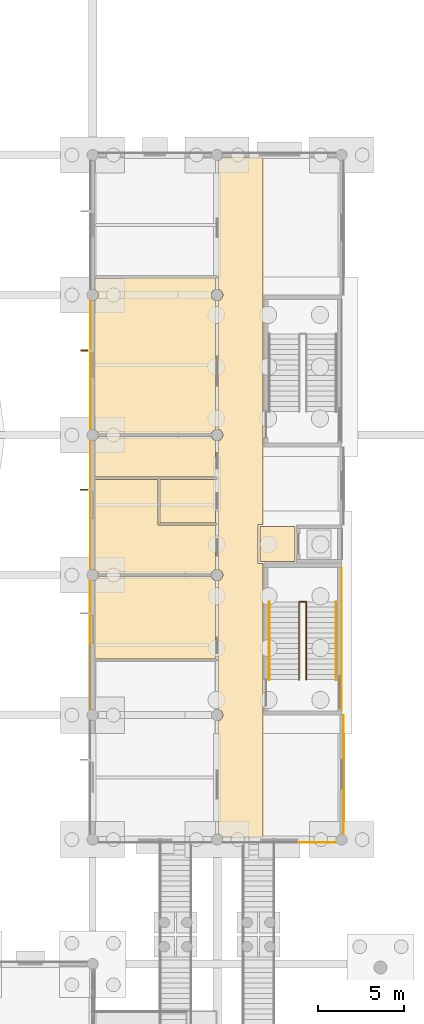
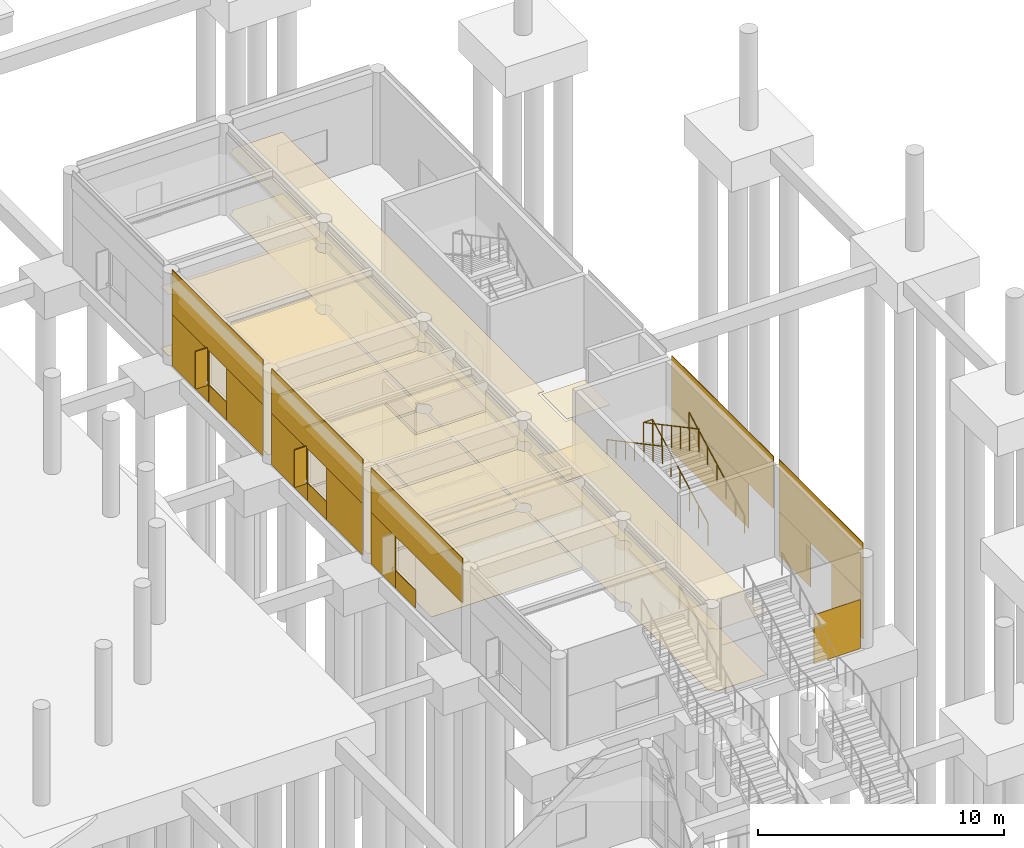
# One storey, part 101 of 103: 31 coverings, 3 railings, 2 shading devices.
"""IFC4 building model written with IfcOpenShell, lengths in metres."""

from ifc_helpers import new_model, si_unit, direction, frame, origin, origin_2d, place, context, subcontext, project, spatial, polyline, rectangle, circle, outline, extrude, material, layer, layer_set, type_object, element, save


model = new_model("IFC4")

# Units and contexts
model_context = context("Model", 3, precision=1e-05, world=origin(), true_north=direction((0.0, 1.0)))
body_context = subcontext(model_context, "Body", "Model", "MODEL_VIEW")
ifc_project = project(units=[si_unit("LENGTHUNIT", "METRE"), si_unit("AREAUNIT", "SQUARE_METRE"), si_unit("VOLUMEUNIT", "CUBIC_METRE"), si_unit("PLANEANGLEUNIT", "RADIAN"), si_unit("MASSUNIT", "GRAM", prefix="KILO")], contexts=[model_context])

# Site, building, storey
site_placement = place(None, origin())
site = spatial("IfcSite", under=ifc_project, at=site_placement, CompositionType="ELEMENT")
building_placement = place(site_placement, origin())
building = spatial("IfcBuilding", under=site, at=building_placement, Name="Namkhue Oval Health Centre", CompositionType="ELEMENT")
storey_placement = place(building_placement, origin())
storey = spatial("IfcBuildingStorey", under=building, at=storey_placement, Name="L00", CompositionType="ELEMENT", Elevation=0.0)

# Coverings
ifc_material_1 = material(Name="Acoustic mineral-fibre cleanroom ceiling", Category="gypsum")
ifc_layer_1 = layer(ifc_material_1, 0.02001953125)
ifc_layer_set_1 = layer_set([ifc_layer_1], Name="Acoustic mineral-fibre cleanroom ceiling")
covering_type_1 = type_object("IfcCoveringType", Name="ACOUSTIC CLEANROOM CEILING 20", PredefinedType="CEILING", material=ifc_layer_set_1)
covering_1_placement = place(storey_placement, frame((0.0, 0.0, 3.050048828125)))
element("IfcCovering", 1, at=covering_1_placement, inside=storey, type_object=covering_type_1, Name="Acoustic Ceiling L00-LL7 Lift Lobby LF-07", PredefinedType="CEILING", context=body_context, shape_type="SweptSolid", body=[
    extrude(outline(polyline([(146.47998046875, 52.080078125), (146.47998046875, 54.1201171875), (148.52001953125, 54.1201171875), (148.52001953125, 52.080078125), (146.47998046875, 52.080078125)])), origin(), (0.0, 0.0, 1.0), 0.02001953125),
])
covering_2_placement = place(storey_placement, frame((0.0, 0.0, 3.050048828125)))
element("IfcCovering", 2, at=covering_2_placement, inside=storey, type_object=covering_type_1, Name="Acoustic Ceiling L00-V6-C1 V6 Clinical Corridor", PredefinedType="CEILING", context=body_context, shape_type="SweptSolid", body=[
    extrude(outline(polyline([(144.0400390625, 42.870361328125), (144.086669921875, 42.87646484375), (144.16748046875, 42.909912109375), (144.23681640625, 42.963134765625), (144.2900390625, 43.032470703125), (144.323486328125, 43.11328125), (144.3349609375, 43.199951171875), (144.323486328125, 43.28662109375), (144.2900390625, 43.367431640625), (144.23681640625, 43.43701171875), (144.16748046875, 43.489990234375), (144.086669921875, 43.523681640625), (144.0400390625, 43.52978515625), (144.0400390625, 50.97021484375), (144.086669921875, 50.976318359375), (144.16748046875, 51.010009765625), (144.23681640625, 51.06298828125), (144.2900390625, 51.132568359375), (144.323486328125, 51.21337890625), (144.3349609375, 51.300048828125), (144.323486328125, 51.38671875), (144.2900390625, 51.467529296875), (144.23681640625, 51.536865234375), (144.16748046875, 51.590087890625), (144.086669921875, 51.62353515625), (144.0400390625, 51.629638671875), (144.0400390625, 59.0703125), (144.086669921875, 59.076416015625), (144.16748046875, 59.10986328125), (144.23681640625, 59.1630859375), (144.2900390625, 59.232421875), (144.323486328125, 59.313232421875), (144.3349609375, 59.39990234375), (144.323486328125, 59.48681640625), (144.2900390625, 59.5673828125), (144.23681640625, 59.636962890625), (144.16748046875, 59.690185546875), (144.086669921875, 59.7236328125), (144.0400390625, 59.729736328125), (144.0400390625, 67.17041015625), (144.086669921875, 67.176513671875), (144.16748046875, 67.2099609375), (144.23681640625, 67.26318359375), (144.2900390625, 67.33251953125), (144.323486328125, 67.413330078125), (144.3349609375, 67.5), (144.323486328125, 67.586669921875), (144.2900390625, 67.66748046875), (144.23681640625, 67.73681640625), (144.16748046875, 67.7900390625), (144.086669921875, 67.823486328125), (144.0400390625, 67.82958984375), (144.0400390625, 75.270263671875), (144.086669921875, 75.2763671875), (144.16748046875, 75.309814453125), (144.23681640625, 75.363037109375), (144.2900390625, 75.4326171875), (144.3076171875, 75.47509765625), (146.659912109375, 75.47509765625), (146.659912109375, 54.239990234375), (146.39599609375, 54.23974609375), (146.384765625, 54.237060546875), (146.37158203125, 54.228271484375), (146.363037109375, 54.21533203125), (146.360107421875, 54.199951171875), (146.360107421875, 51.99609375), (146.363037109375, 51.984619140625), (146.37158203125, 51.9716796875), (146.384765625, 51.962890625), (146.39599609375, 51.960205078125), (146.659912109375, 51.9599609375), (146.659912109375, 36.125), (144.3076171875, 36.125), (144.2900390625, 36.16748046875), (144.23681640625, 36.23681640625), (144.16748046875, 36.2900390625), (144.086669921875, 36.323486328125), (144.0400390625, 36.32958984375), (144.0400390625, 42.870361328125)])), origin(), (0.0, 0.0, 1.0), 0.02001953125),
])
covering_3_placement = place(storey_placement, frame((0.0, 0.0, 3.050048828125)))
element("IfcCovering", 3, at=covering_3_placement, inside=storey, type_object=covering_type_1, Name="Acoustic Ceiling L00-602 Pool Filtration Plant Room", PredefinedType="CEILING", context=body_context, shape_type="SweptSolid", body=[
    extrude(outline(polyline([(136.885009765625, 46.455078125), (136.885009765625, 50.976318359375), (136.967529296875, 51.010009765625), (137.036865234375, 51.06298828125), (137.090087890625, 51.132568359375), (137.12353515625, 51.21337890625), (137.125732421875, 51.22998046875), (143.67431640625, 51.22998046875), (143.676513671875, 51.21337890625), (143.7099609375, 51.132568359375), (143.76318359375, 51.06298828125), (143.83251953125, 51.010009765625), (143.919921875, 50.9755859375), (143.919921875, 46.455078125), (136.885009765625, 46.455078125)])), origin(), (0.0, 0.0, 1.0), 0.02001953125),
])
covering_4_placement = place(storey_placement, frame((0.0, 0.0, 3.050048828125)))
element("IfcCovering", 4, at=covering_4_placement, inside=storey, type_object=covering_type_1, Name="Acoustic Ceiling L00-603 Hydrotherapy Clean Towel Utility", PredefinedType="CEILING", context=body_context, shape_type="SweptSolid", body=[
    extrude(outline(polyline([(136.885009765625, 56.840087890625), (140.590087890625, 56.840087890625), (140.590087890625, 54.18994140625), (143.919921875, 54.18994140625), (143.919921875, 51.62451171875), (143.83251953125, 51.590087890625), (143.76318359375, 51.536865234375), (143.7099609375, 51.467529296875), (143.676513671875, 51.38671875), (143.67431640625, 51.3701171875), (137.125732421875, 51.3701171875), (137.12353515625, 51.38671875), (137.090087890625, 51.467529296875), (137.036865234375, 51.536865234375), (136.967529296875, 51.590087890625), (136.885009765625, 51.623779296875), (136.885009765625, 56.840087890625)])), origin(), (0.0, 0.0, 1.0), 0.02001953125),
])
covering_5_placement = place(storey_placement, frame((0.0, 0.0, 3.050048828125)))
element("IfcCovering", 5, at=covering_5_placement, inside=storey, type_object=covering_type_1, Name="Acoustic Ceiling L00-604 Accessible WC", PredefinedType="CEILING", context=body_context, shape_type="SweptSolid", body=[
    extrude(outline(polyline([(140.7099609375, 54.31005859375), (140.7099609375, 56.840087890625), (143.919921875, 56.840087890625), (143.919921875, 54.31005859375), (140.7099609375, 54.31005859375)])), origin(), (0.0, 0.0, 1.0), 0.02001953125),
])
covering_6_placement = place(storey_placement, frame((0.0, 0.0, 3.050048828125)))
element("IfcCovering", 6, at=covering_6_placement, inside=storey, type_object=covering_type_1, Name="Acoustic Ceiling L00-605 Patient Changing Washroom", PredefinedType="CEILING", context=body_context, shape_type="SweptSolid", body=[
    extrude(outline(polyline([(136.885009765625, 56.9599609375), (136.885009765625, 59.076171875), (136.967529296875, 59.10986328125), (137.036865234375, 59.1630859375), (137.090087890625, 59.232421875), (137.12353515625, 59.313232421875), (137.125732421875, 59.330078125), (143.67431640625, 59.330078125), (143.676513671875, 59.313232421875), (143.7099609375, 59.232421875), (143.76318359375, 59.1630859375), (143.83251953125, 59.10986328125), (143.919921875, 59.075439453125), (143.919921875, 56.9599609375), (136.885009765625, 56.9599609375)])), origin(), (0.0, 0.0, 1.0), 0.02001953125),
])
covering_7_placement = place(storey_placement, frame((0.0, 0.0, 3.050048828125)))
element("IfcCovering", 7, at=covering_7_placement, inside=storey, type_object=covering_type_1, Name="Acoustic Ceiling L00-606 Hydrotherapy Exercise Pool Room", PredefinedType="CEILING", context=body_context, shape_type="SweptSolid", body=[
    extrude(outline(polyline([(137.125732421875, 59.469970703125), (137.12353515625, 59.48681640625), (137.090087890625, 59.5673828125), (137.036865234375, 59.636962890625), (136.967529296875, 59.690185546875), (136.885009765625, 59.723876953125), (136.885009765625, 67.17626953125), (136.967529296875, 67.2099609375), (137.036865234375, 67.26318359375), (137.090087890625, 67.33251953125), (137.12353515625, 67.413330078125), (137.135009765625, 67.5), (137.12353515625, 67.586669921875), (137.090087890625, 67.66748046875), (137.036865234375, 67.73681640625), (136.967529296875, 67.7900390625), (136.885009765625, 67.82373046875), (136.885009765625, 68.47705078125), (143.919921875, 68.47705078125), (143.919921875, 67.824462890625), (143.83251953125, 67.7900390625), (143.76318359375, 67.73681640625), (143.7099609375, 67.66748046875), (143.676513671875, 67.586669921875), (143.6650390625, 67.5), (143.676513671875, 67.413330078125), (143.7099609375, 67.33251953125), (143.76318359375, 67.26318359375), (143.83251953125, 67.2099609375), (143.919921875, 67.175537109375), (143.919921875, 59.724609375), (143.83251953125, 59.690185546875), (143.76318359375, 59.636962890625), (143.7099609375, 59.5673828125), (143.676513671875, 59.48681640625), (143.67431640625, 59.469970703125), (137.125732421875, 59.469970703125)])), origin(), (0.0, 0.0, 1.0), 0.02001953125),
])
ifc_material_2 = material(Name="Homogeneous anti-bacterial clinical vinyl flooring", Category="plastic")
ifc_layer_2 = layer(ifc_material_2, 0.014892578125)
ifc_layer_set_2 = layer_set([ifc_layer_2], Name="Homogeneous anti-bacterial clinical vinyl flooring")
covering_type_2 = type_object("IfcCoveringType", Name="CLINICAL ANTIBACTERIAL VINYL FLOORING 15", PredefinedType="FLOORING", material=ifc_layer_set_2)
covering_8_placement = place(storey_placement, origin())
element("IfcCovering", 8, at=covering_8_placement, inside=storey, type_object=covering_type_2, Name="Clinical Flooring L00-LL7 Lift Lobby LF-07", PredefinedType="FLOORING", context=body_context, shape_type="SweptSolid", body=[
    extrude(outline(polyline([(146.47998046875, 52.080078125), (146.47998046875, 54.1201171875), (148.52001953125, 54.1201171875), (148.52001953125, 52.080078125), (146.47998046875, 52.080078125)])), origin(), (0.0, 0.0, 1.0), 0.014892578125),
])
covering_9_placement = place(storey_placement, origin())
element("IfcCovering", 9, at=covering_9_placement, inside=storey, type_object=covering_type_2, Name="Clinical Flooring L00-V6-C1 V6 Clinical Corridor", PredefinedType="FLOORING", context=body_context, shape_type="SweptSolid", body=[
    extrude(outline(polyline([(144.0400390625, 42.870361328125), (144.086669921875, 42.87646484375), (144.16748046875, 42.909912109375), (144.23681640625, 42.963134765625), (144.2900390625, 43.032470703125), (144.323486328125, 43.11328125), (144.3349609375, 43.199951171875), (144.323486328125, 43.28662109375), (144.2900390625, 43.367431640625), (144.23681640625, 43.43701171875), (144.16748046875, 43.489990234375), (144.086669921875, 43.523681640625), (144.0400390625, 43.52978515625), (144.0400390625, 50.97021484375), (144.086669921875, 50.976318359375), (144.16748046875, 51.010009765625), (144.23681640625, 51.06298828125), (144.2900390625, 51.132568359375), (144.323486328125, 51.21337890625), (144.3349609375, 51.300048828125), (144.323486328125, 51.38671875), (144.2900390625, 51.467529296875), (144.23681640625, 51.536865234375), (144.16748046875, 51.590087890625), (144.086669921875, 51.62353515625), (144.0400390625, 51.629638671875), (144.0400390625, 59.0703125), (144.086669921875, 59.076416015625), (144.16748046875, 59.10986328125), (144.23681640625, 59.1630859375), (144.2900390625, 59.232421875), (144.323486328125, 59.313232421875), (144.3349609375, 59.39990234375), (144.323486328125, 59.48681640625), (144.2900390625, 59.5673828125), (144.23681640625, 59.636962890625), (144.16748046875, 59.690185546875), (144.086669921875, 59.7236328125), (144.0400390625, 59.729736328125), (144.0400390625, 67.17041015625), (144.086669921875, 67.176513671875), (144.16748046875, 67.2099609375), (144.23681640625, 67.26318359375), (144.2900390625, 67.33251953125), (144.323486328125, 67.413330078125), (144.3349609375, 67.5), (144.323486328125, 67.586669921875), (144.2900390625, 67.66748046875), (144.23681640625, 67.73681640625), (144.16748046875, 67.7900390625), (144.086669921875, 67.823486328125), (144.0400390625, 67.82958984375), (144.0400390625, 75.270263671875), (144.086669921875, 75.2763671875), (144.16748046875, 75.309814453125), (144.23681640625, 75.363037109375), (144.2900390625, 75.4326171875), (144.3076171875, 75.47509765625), (146.659912109375, 75.47509765625), (146.659912109375, 54.239990234375), (146.39599609375, 54.23974609375), (146.384765625, 54.237060546875), (146.37158203125, 54.228271484375), (146.363037109375, 54.21533203125), (146.360107421875, 54.199951171875), (146.360107421875, 51.99609375), (146.363037109375, 51.984619140625), (146.37158203125, 51.9716796875), (146.384765625, 51.962890625), (146.39599609375, 51.960205078125), (146.659912109375, 51.9599609375), (146.659912109375, 36.125), (144.3076171875, 36.125), (144.2900390625, 36.16748046875), (144.23681640625, 36.23681640625), (144.16748046875, 36.2900390625), (144.086669921875, 36.323486328125), (144.0400390625, 36.32958984375), (144.0400390625, 42.870361328125)])), origin(), (0.0, 0.0, 1.0), 0.014892578125),
])
covering_10_placement = place(storey_placement, origin())
element("IfcCovering", 10, at=covering_10_placement, inside=storey, type_object=covering_type_2, Name="Clinical Flooring L00-602 Pool Filtration Plant Room", PredefinedType="FLOORING", context=body_context, shape_type="SweptSolid", body=[
    extrude(outline(polyline([(136.885009765625, 46.455078125), (136.885009765625, 50.976318359375), (136.967529296875, 51.010009765625), (137.036865234375, 51.06298828125), (137.090087890625, 51.132568359375), (137.12353515625, 51.21337890625), (137.125732421875, 51.22998046875), (143.67431640625, 51.22998046875), (143.676513671875, 51.21337890625), (143.7099609375, 51.132568359375), (143.76318359375, 51.06298828125), (143.83251953125, 51.010009765625), (143.919921875, 50.9755859375), (143.919921875, 46.455078125), (136.885009765625, 46.455078125)])), origin(), (0.0, 0.0, 1.0), 0.014892578125),
])
covering_11_placement = place(storey_placement, origin())
element("IfcCovering", 11, at=covering_11_placement, inside=storey, type_object=covering_type_2, Name="Clinical Flooring L00-603 Hydrotherapy Clean Towel Utility", PredefinedType="FLOORING", context=body_context, shape_type="SweptSolid", body=[
    extrude(outline(polyline([(136.885009765625, 56.840087890625), (140.590087890625, 56.840087890625), (140.590087890625, 54.18994140625), (143.919921875, 54.18994140625), (143.919921875, 51.62451171875), (143.83251953125, 51.590087890625), (143.76318359375, 51.536865234375), (143.7099609375, 51.467529296875), (143.676513671875, 51.38671875), (143.67431640625, 51.3701171875), (137.125732421875, 51.3701171875), (137.12353515625, 51.38671875), (137.090087890625, 51.467529296875), (137.036865234375, 51.536865234375), (136.967529296875, 51.590087890625), (136.885009765625, 51.623779296875), (136.885009765625, 56.840087890625)])), origin(), (0.0, 0.0, 1.0), 0.014892578125),
])
covering_12_placement = place(storey_placement, origin())
element("IfcCovering", 12, at=covering_12_placement, inside=storey, type_object=covering_type_2, Name="Clinical Flooring L00-604 Accessible WC", PredefinedType="FLOORING", context=body_context, shape_type="SweptSolid", body=[
    extrude(outline(polyline([(140.7099609375, 54.31005859375), (140.7099609375, 56.840087890625), (143.919921875, 56.840087890625), (143.919921875, 54.31005859375), (140.7099609375, 54.31005859375)])), origin(), (0.0, 0.0, 1.0), 0.014892578125),
])
covering_13_placement = place(storey_placement, origin())
element("IfcCovering", 13, at=covering_13_placement, inside=storey, type_object=covering_type_2, Name="Clinical Flooring L00-605 Patient Changing Washroom", PredefinedType="FLOORING", context=body_context, shape_type="SweptSolid", body=[
    extrude(outline(polyline([(136.885009765625, 56.9599609375), (136.885009765625, 59.076171875), (136.967529296875, 59.10986328125), (137.036865234375, 59.1630859375), (137.090087890625, 59.232421875), (137.12353515625, 59.313232421875), (137.125732421875, 59.330078125), (143.67431640625, 59.330078125), (143.676513671875, 59.313232421875), (143.7099609375, 59.232421875), (143.76318359375, 59.1630859375), (143.83251953125, 59.10986328125), (143.919921875, 59.075439453125), (143.919921875, 56.9599609375), (136.885009765625, 56.9599609375)])), origin(), (0.0, 0.0, 1.0), 0.014892578125),
])
covering_14_placement = place(storey_placement, origin())
element("IfcCovering", 14, at=covering_14_placement, inside=storey, type_object=covering_type_2, Name="Clinical Flooring L00-606 Hydrotherapy Exercise Pool Room", PredefinedType="FLOORING", context=body_context, shape_type="SweptSolid", body=[
    extrude(outline(polyline([(137.125732421875, 59.469970703125), (137.12353515625, 59.48681640625), (137.090087890625, 59.5673828125), (137.036865234375, 59.636962890625), (136.967529296875, 59.690185546875), (136.885009765625, 59.723876953125), (136.885009765625, 67.17626953125), (136.967529296875, 67.2099609375), (137.036865234375, 67.26318359375), (137.090087890625, 67.33251953125), (137.12353515625, 67.413330078125), (137.135009765625, 67.5), (137.12353515625, 67.586669921875), (137.090087890625, 67.66748046875), (137.036865234375, 67.73681640625), (136.967529296875, 67.7900390625), (136.885009765625, 67.82373046875), (136.885009765625, 68.47705078125), (143.919921875, 68.47705078125), (143.919921875, 67.824462890625), (143.83251953125, 67.7900390625), (143.76318359375, 67.73681640625), (143.7099609375, 67.66748046875), (143.676513671875, 67.586669921875), (143.6650390625, 67.5), (143.676513671875, 67.413330078125), (143.7099609375, 67.33251953125), (143.76318359375, 67.26318359375), (143.83251953125, 67.2099609375), (143.919921875, 67.175537109375), (143.919921875, 59.724609375), (143.83251953125, 59.690185546875), (143.76318359375, 59.636962890625), (143.7099609375, 59.5673828125), (143.676513671875, 59.48681640625), (143.67431640625, 59.469970703125), (137.125732421875, 59.469970703125)])), origin(), (0.0, 0.0, 1.0), 0.014892578125),
])

# Railings
ifc_material_3 = material(Name="Brushed stainless steel 316L balustrade with laminated glass infill", Category="steel")
railing_type_1 = type_object("IfcRailingType", Name="INTERIOR BALUSTRADE GUARD 1150", PredefinedType="BALUSTRADE", material=ifc_material_3)
railing_1_placement = place(storey_placement, frame((149.159912109375, 45.25, 0.0)))
element("IfcRailing", 15, at=railing_1_placement, inside=storey, type_object=railing_type_1, Name="Stair ST-11 L00 Inner Well Guard", PredefinedType="BALUSTRADE", context=body_context, shape_type="SweptSolid", body=[
    extrude(circle(Radius=0.02392578125, at=origin_2d()), frame((0.0, 0.0, 1.1259765625), z_axis=(0.0, 0.882360891967, 0.470573327259), x_axis=(-1.0, 0.0, 0.0)), (0.0, 0.0, 1.0), 5.099853515625),
    extrude(circle(Radius=0.02392578125, at=origin_2d()), frame((0.0, 4.5, 3.52587890625), z_axis=(-1.0, 0.0, 0.0), x_axis=(0.0, -1.0, 0.0)), (0.0, 0.0, 1.0), 0.419921875),
    extrude(circle(Radius=0.02392578125, at=origin_2d()), frame((-0.419921875, 4.5, 3.52587890625), z_axis=(0.0, -0.882341014787, 0.470610596591), x_axis=(1.0, 0.0, 0.0)), (0.0, 0.0, 1.0), 5.10009765625),
    extrude(circle(Radius=0.02099609375, at=origin_2d()), origin(), (0.0, 0.0, 1.0), 1.101806640625),
    extrude(circle(Radius=0.02099609375, at=origin_2d()), frame((0.0, 0.75, 0.39990234375)), (0.0, 0.0, 1.0), 1.101806640625),
    extrude(circle(Radius=0.02099609375, at=origin_2d()), frame((0.0, 1.5, 0.800048828125)), (0.0, 0.0, 1.0), 1.101806640625),
    extrude(circle(Radius=0.02099609375, at=origin_2d()), frame((0.0, 2.25, 1.199951171875)), (0.0, 0.0, 1.0), 1.101806640625),
    extrude(circle(Radius=0.02099609375, at=origin_2d()), frame((0.0, 3.0, 1.599853515625)), (0.0, 0.0, 1.0), 1.101806640625),
    extrude(circle(Radius=0.02099609375, at=origin_2d()), frame((0.0, 3.75, 2.0)), (0.0, 0.0, 1.0), 1.101806640625),
    extrude(circle(Radius=0.02099609375, at=origin_2d()), frame((0.0, 4.5, 2.39990234375)), (0.0, 0.0, 1.0), 1.101806640625),
    extrude(circle(Radius=0.02099609375, at=origin_2d()), frame((-0.419921875, 4.5, 2.39990234375)), (0.0, 0.0, 1.0), 1.101806640625),
    extrude(circle(Radius=0.02099609375, at=origin_2d()), frame((-0.419921875, 3.75, 2.7998046875)), (0.0, 0.0, 1.0), 1.101806640625),
    extrude(circle(Radius=0.02099609375, at=origin_2d()), frame((-0.419921875, 3.0, 3.199951171875)), (0.0, 0.0, 1.0), 1.101806640625),
    extrude(circle(Radius=0.02099609375, at=origin_2d()), frame((-0.419921875, 2.25, 3.60009765625)), (0.0, 0.0, 1.0), 1.101806640625),
    extrude(circle(Radius=0.02099609375, at=origin_2d()), frame((-0.419921875, 1.5, 4.0)), (0.0, 0.0, 1.0), 1.101806640625),
    extrude(circle(Radius=0.02099609375, at=origin_2d()), frame((-0.419921875, 0.75, 4.39990234375)), (0.0, 0.0, 1.0), 1.101806640625),
    extrude(circle(Radius=0.02099609375, at=origin_2d()), frame((-0.419921875, 0.0, 4.800048828125)), (0.0, 0.0, 1.0), 1.101806640625),
])
ifc_material_4 = material(Name="Brushed stainless steel 304 tubular handrail", Category="steel")
railing_type_2 = type_object("IfcRailingType", Name="INTERIOR STAIR HANDRAIL 900", PredefinedType="HANDRAIL", material=ifc_material_4)
railing_2_placement = place(storey_placement, frame((150.8798828125, 45.25, 0.0)))
element("IfcRailing", 16, at=railing_2_placement, inside=storey, type_object=railing_type_2, Name="Stair ST-11 L00 Flight 1 Handrail", PredefinedType="HANDRAIL", context=body_context, shape_type="SweptSolid", body=[
    extrude(circle(Radius=0.02392578125, at=origin_2d()), frame((0.0, 0.0, 0.8759765625), z_axis=(0.0, 0.882360891967, 0.470573327259), x_axis=(-1.0, 0.0, 0.0)), (0.0, 0.0, 1.0), 5.099853515625),
    extrude(circle(Radius=0.02099609375, at=origin_2d()), origin(), (0.0, 0.0, 1.0), 0.851806640625),
    extrude(circle(Radius=0.02099609375, at=origin_2d()), frame((0.0, 0.75, 0.39990234375)), (0.0, 0.0, 1.0), 0.851806640625),
    extrude(circle(Radius=0.02099609375, at=origin_2d()), frame((0.0, 1.5, 0.800048828125)), (0.0, 0.0, 1.0), 0.851806640625),
    extrude(circle(Radius=0.02099609375, at=origin_2d()), frame((0.0, 2.25, 1.199951171875)), (0.0, 0.0, 1.0), 0.851806640625),
    extrude(circle(Radius=0.02099609375, at=origin_2d()), frame((0.0, 3.0, 1.599853515625)), (0.0, 0.0, 1.0), 0.851806640625),
    extrude(circle(Radius=0.02099609375, at=origin_2d()), frame((0.0, 3.75, 2.0)), (0.0, 0.0, 1.0), 0.851806640625),
    extrude(circle(Radius=0.02099609375, at=origin_2d()), frame((0.0, 4.5, 2.39990234375)), (0.0, 0.0, 1.0), 0.851806640625),
])
railing_3_placement = place(storey_placement, frame((147.02001953125, 49.75, 2.39990234375)))
element("IfcRailing", 17, at=railing_3_placement, inside=storey, type_object=railing_type_2, Name="Stair ST-11 L00 Flight 2 Handrail", PredefinedType="HANDRAIL", context=body_context, shape_type="SweptSolid", body=[
    extrude(circle(Radius=0.02392578125, at=origin_2d()), frame((0.0, 0.0, 0.8759765625), z_axis=(0.0, -0.882341014787, 0.470610596591), x_axis=(1.0, 0.0, 0.0)), (0.0, 0.0, 1.0), 5.10009765625),
    extrude(circle(Radius=0.02099609375, at=origin_2d()), origin(), (0.0, 0.0, 1.0), 0.851806640625),
    extrude(circle(Radius=0.02099609375, at=origin_2d()), frame((0.0, -0.75, 0.39990234375)), (0.0, 0.0, 1.0), 0.851806640625),
    extrude(circle(Radius=0.02099609375, at=origin_2d()), frame((0.0, -1.5, 0.800048828125)), (0.0, 0.0, 1.0), 0.851806640625),
    extrude(circle(Radius=0.02099609375, at=origin_2d()), frame((0.0, -2.25, 1.2001953125)), (0.0, 0.0, 1.0), 0.851806640625),
    extrude(circle(Radius=0.02099609375, at=origin_2d()), frame((0.0, -3.0, 1.60009765625)), (0.0, 0.0, 1.0), 0.851806640625),
    extrude(circle(Radius=0.02099609375, at=origin_2d()), frame((0.0, -3.75, 2.0)), (0.0, 0.0, 1.0), 0.851806640625),
    extrude(circle(Radius=0.02099609375, at=origin_2d()), frame((0.0, -4.5, 2.400146484375)), (0.0, 0.0, 1.0), 0.851806640625),
])

# Shading devices
ifc_material_5 = material(Name="Anodised aluminium EN AW-6063 T6", Category="aluminium")
shading_device_type = type_object("IfcShadingDeviceType", Name="VERTICAL SOLAR FIN 600", PredefinedType="USERDEFINED", material=ifc_material_5)
for number, where, z_axis, x_axis, name in (
    (18, (136.39990234375, 64.2900390625, 0.7998046875), (0.0, 0.0, 1.0), (-1.0, 0.0, 0.0), "Volume V6 L00 Window Solar Fin 300"),
    (19, (136.39501953125, 56.239990234375, 0.7998046875), (0.0, 0.0, 1.0), (-1.0, 0.0, 0.0), "Volume V6 L00 Window Solar Fin 301"),
):
    element("IfcShadingDevice", number, at=place(storey_placement, frame(where, z_axis=z_axis, x_axis=x_axis)), inside=storey, type_object=shading_device_type, Name=name, ObjectType="SOLAR FIN", PredefinedType="USERDEFINED", context=body_context, shape_type="SweptSolid", body=[
        extrude(rectangle(XDim=0.60009765625, YDim=0.06005859375, at=origin_2d()), origin(), (0.0, 0.0, 1.0), 1.860107421875),
    ])

# Coverings
ifc_material_6 = material(Name="White glass-fibre reinforced concrete GRC rainscreen cladding", Category="concrete")
ifc_layer_3 = layer(ifc_material_6, 0.02490234375)
ifc_layer_set_3 = layer_set([ifc_layer_3], Name="White glass-fibre reinforced concrete GRC rainscreen cladding")
covering_type_3 = type_object("IfcCoveringType", Name="WHITE GRC RAINSCREEN CLADDING 25", PredefinedType="CLADDING", material=ifc_layer_set_3)
covering_15_placement = place(storey_placement, frame((149.77490234375, 35.822998046875, 0.010009765625), z_axis=(0.0, 0.0, 1.0), x_axis=(1.0, 0.0, 0.0)))
element("IfcCovering", 20, at=covering_15_placement, inside=storey, type_object=covering_type_3, Name="Volume V6 L00 Facade 160 White GRC Cladding 4", PredefinedType="CLADDING", context=body_context, shape_type="SweptSolid", body=[
    extrude(rectangle(XDim=2.169921875, YDim=0.02490234375, at=origin_2d()), origin(), (0.0, 0.0, 1.0), 2.43994140625),
])
covering_16_placement = place(storey_placement, frame((151.302001953125, 39.759033203125, 2.21484375), z_axis=(0.0, 0.0, 1.0), x_axis=(0.0, 1.0, 0.0)))
element("IfcCovering", 21, at=covering_16_placement, inside=storey, type_object=covering_type_3, Name="Volume V6 L00 Facade 161 White GRC Cladding 1", PredefinedType="CLADDING", context=body_context, shape_type="SweptSolid", body=[
    extrude(rectangle(XDim=6.837890625, YDim=0.02490234375, at=origin_2d()), origin(), (0.0, 0.0, 1.0), 2.574951171875),
])
for number, where, z_axis, x_axis, name in (
    (22, (151.302001953125, 37.6220703125, 0.01025390625), (0.0, 0.0, 1.0), (0.0, 1.0, 0.0), "Volume V6 L00 Facade 161 White GRC Cladding 2"),
    (23, (151.302001953125, 41.89599609375, 0.01025390625), (0.0, 0.0, 1.0), (0.0, 1.0, 0.0), "Volume V6 L00 Facade 161 White GRC Cladding 3"),
):
    element("IfcCovering", number, at=place(storey_placement, frame(where, z_axis=z_axis, x_axis=x_axis)), inside=storey, type_object=covering_type_3, Name=name, PredefinedType="CLADDING", context=body_context, shape_type="SweptSolid", body=[
        extrude(rectangle(XDim=2.56396484375, YDim=0.02490234375, at=origin_2d()), origin(), (0.0, 0.0, 1.0), 2.199951171875),
    ])
covering_17_placement = place(storey_placement, frame((136.66796875, 63.449951171875, 2.5751953125), z_axis=(0.0, 0.0, 1.0), x_axis=(0.0, -1.0, 0.0)))
element("IfcCovering", 24, at=covering_17_placement, inside=storey, type_object=covering_type_3, Name="Volume V6 L00 Facade 167 White GRC Cladding 1", PredefinedType="CLADDING", context=body_context, shape_type="SweptSolid", body=[
    extrude(rectangle(XDim=7.419921875, YDim=0.02490234375, at=origin_2d()), origin(), (0.0, 0.0, 1.0), 2.215087890625),
])
covering_18_placement = place(storey_placement, frame((136.66796875, 65.66259765625, 0.010009765625), z_axis=(0.0, 0.0, 1.0), x_axis=(0.0, -1.0, 0.0)))
element("IfcCovering", 25, at=covering_18_placement, inside=storey, type_object=covering_type_3, Name="Volume V6 L00 Facade 167 White GRC Cladding 2", PredefinedType="CLADDING", context=body_context, shape_type="SweptSolid", body=[
    extrude(rectangle(XDim=2.9951171875, YDim=0.02490234375, at=origin_2d()), origin(), (0.0, 0.0, 1.0), 2.56005859375),
])
covering_19_placement = place(storey_placement, frame((136.66796875, 63.449951171875, 0.010009765625), z_axis=(0.0, 0.0, 1.0), x_axis=(0.0, -1.0, 0.0)))
element("IfcCovering", 26, at=covering_19_placement, inside=storey, type_object=covering_type_3, Name="Volume V6 L00 Facade 167 White GRC Cladding 3", PredefinedType="CLADDING", context=body_context, shape_type="SweptSolid", body=[
    extrude(rectangle(XDim=1.419921875, YDim=0.02490234375, at=origin_2d()), origin(), (0.0, 0.0, 1.0), 0.875),
])
covering_20_placement = place(storey_placement, frame((136.66796875, 61.237548828125, 0.010009765625), z_axis=(0.0, 0.0, 1.0), x_axis=(0.0, -1.0, 0.0)))
element("IfcCovering", 27, at=covering_20_placement, inside=storey, type_object=covering_type_3, Name="Volume V6 L00 Facade 167 White GRC Cladding 4", PredefinedType="CLADDING", context=body_context, shape_type="SweptSolid", body=[
    extrude(rectangle(XDim=2.9951171875, YDim=0.02490234375, at=origin_2d()), origin(), (0.0, 0.0, 1.0), 2.56005859375),
])
covering_21_placement = place(storey_placement, frame((136.6630859375, 55.35009765625, 2.5751953125), z_axis=(0.0, 0.0, 1.0), x_axis=(0.0, -1.0, 0.0)))
element("IfcCovering", 28, at=covering_21_placement, inside=storey, type_object=covering_type_3, Name="Volume V6 L00 Facade 168 White GRC Cladding 1", PredefinedType="CLADDING", context=body_context, shape_type="SweptSolid", body=[
    extrude(rectangle(XDim=7.419921875, YDim=0.02490234375, at=origin_2d()), origin(), (0.0, 0.0, 1.0), 2.215087890625),
])
covering_22_placement = place(storey_placement, frame((136.6630859375, 57.58740234375, 0.010009765625), z_axis=(0.0, 0.0, 1.0), x_axis=(0.0, -1.0, 0.0)))
element("IfcCovering", 29, at=covering_22_placement, inside=storey, type_object=covering_type_3, Name="Volume V6 L00 Facade 168 White GRC Cladding 2", PredefinedType="CLADDING", context=body_context, shape_type="SweptSolid", body=[
    extrude(rectangle(XDim=2.945068359375, YDim=0.02490234375, at=origin_2d()), origin(), (0.0, 0.0, 1.0), 2.56005859375),
])
covering_23_placement = place(storey_placement, frame((136.6630859375, 55.35009765625, 0.010009765625), z_axis=(0.0, 0.0, 1.0), x_axis=(0.0, -1.0, 0.0)))
element("IfcCovering", 30, at=covering_23_placement, inside=storey, type_object=covering_type_3, Name="Volume V6 L00 Facade 168 White GRC Cladding 3", PredefinedType="CLADDING", context=body_context, shape_type="SweptSolid", body=[
    extrude(rectangle(XDim=1.52001953125, YDim=0.02490234375, at=origin_2d()), origin(), (0.0, 0.0, 1.0), 0.875),
])
covering_24_placement = place(storey_placement, frame((136.6630859375, 53.112548828125, 0.010009765625), z_axis=(0.0, 0.0, 1.0), x_axis=(0.0, -1.0, 0.0)))
element("IfcCovering", 31, at=covering_24_placement, inside=storey, type_object=covering_type_3, Name="Volume V6 L00 Facade 168 White GRC Cladding 4", PredefinedType="CLADDING", context=body_context, shape_type="SweptSolid", body=[
    extrude(rectangle(XDim=2.945068359375, YDim=0.02490234375, at=origin_2d()), origin(), (0.0, 0.0, 1.0), 2.56005859375),
])
covering_25_placement = place(storey_placement, frame((136.657958984375, 47.25, 2.5751953125), z_axis=(0.0, 0.0, 1.0), x_axis=(0.0, -1.0, 0.0)))
element("IfcCovering", 32, at=covering_25_placement, inside=storey, type_object=covering_type_3, Name="Volume V6 L00 Facade 169 White GRC Cladding 1", PredefinedType="CLADDING", context=body_context, shape_type="SweptSolid", body=[
    extrude(rectangle(XDim=7.419921875, YDim=0.02490234375, at=origin_2d()), origin(), (0.0, 0.0, 1.0), 2.215087890625),
])
covering_26_placement = place(storey_placement, frame((136.657958984375, 49.96240234375, 0.010009765625), z_axis=(0.0, 0.0, 1.0), x_axis=(0.0, -1.0, 0.0)))
element("IfcCovering", 33, at=covering_26_placement, inside=storey, type_object=covering_type_3, Name="Volume V6 L00 Facade 169 White GRC Cladding 2", PredefinedType="CLADDING", context=body_context, shape_type="SweptSolid", body=[
    extrude(rectangle(XDim=1.9951171875, YDim=0.02490234375, at=origin_2d()), origin(), (0.0, 0.0, 1.0), 2.56005859375),
])
covering_27_placement = place(storey_placement, frame((136.657958984375, 48.14990234375, 0.010009765625), z_axis=(0.0, 0.0, 1.0), x_axis=(0.0, -1.0, 0.0)))
element("IfcCovering", 34, at=covering_27_placement, inside=storey, type_object=covering_type_3, Name="Volume V6 L00 Facade 169 White GRC Cladding 3", PredefinedType="CLADDING", context=body_context, shape_type="SweptSolid", body=[
    extrude(rectangle(XDim=1.6201171875, YDim=0.02490234375, at=origin_2d()), origin(), (0.0, 0.0, 1.0), 0.875),
])
covering_28_placement = place(storey_placement, frame((151.2119140625, 47.60009765625, 2.21484375), z_axis=(0.0, 0.0, 1.0), x_axis=(0.0, 1.0, 0.0)))
element("IfcCovering", 35, at=covering_28_placement, inside=storey, type_object=covering_type_3, Name="Core SC-11 L00 Core E White GRC Cladding 1", PredefinedType="CLADDING", context=body_context, shape_type="SweptSolid", body=[
    extrude(rectangle(XDim=8.260009765625, YDim=0.02490234375, at=origin_2d()), origin(), (0.0, 0.0, 1.0), 2.574951171875),
])
covering_29_placement = place(storey_placement, frame((151.2119140625, 48.597412109375, 0.01025390625), z_axis=(0.0, 0.0, 1.0), x_axis=(0.0, 1.0, 0.0)))
element("IfcCovering", 36, at=covering_29_placement, inside=storey, type_object=covering_type_3, Name="Core SC-11 L00 Core E White GRC Cladding 2", PredefinedType="CLADDING", context=body_context, shape_type="SweptSolid", body=[
    extrude(rectangle(XDim=6.264892578125, YDim=0.02490234375, at=origin_2d()), origin(), (0.0, 0.0, 1.0), 2.199951171875),
])

save(model, "model.ifc")
